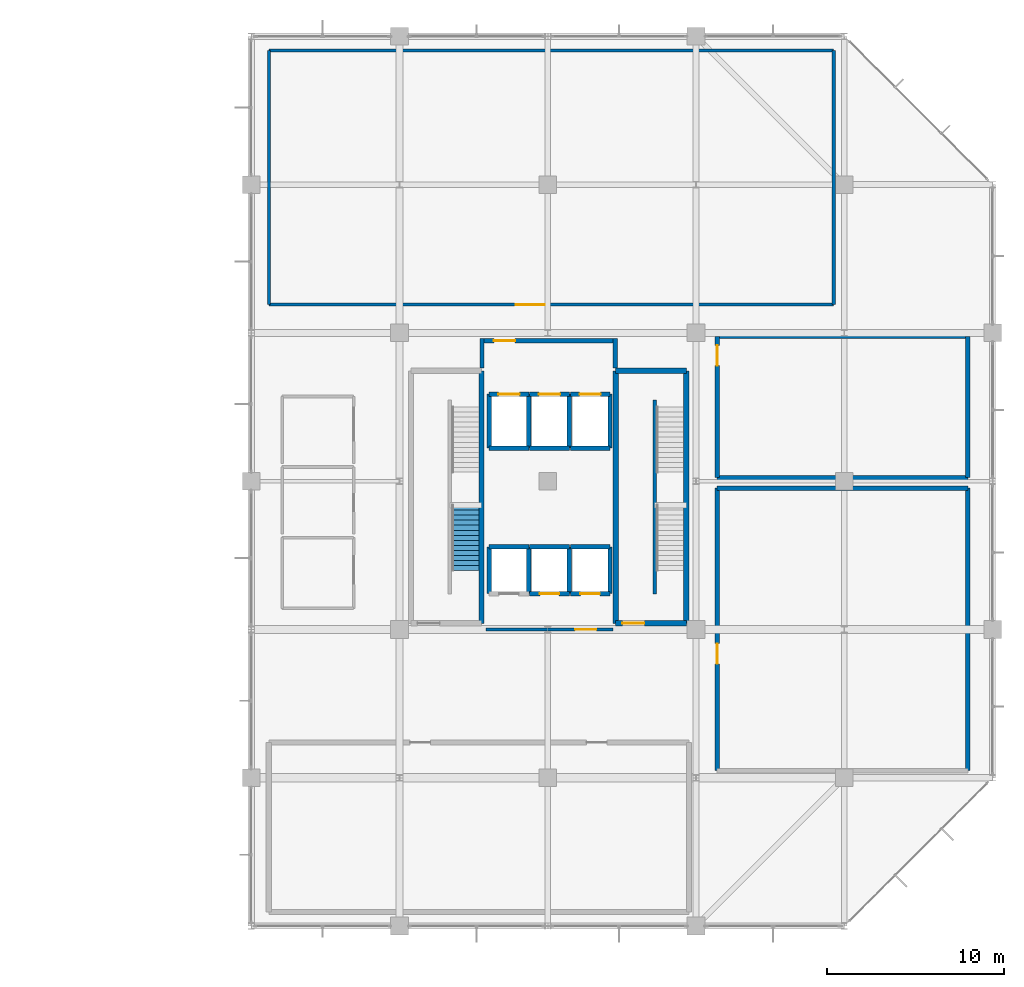
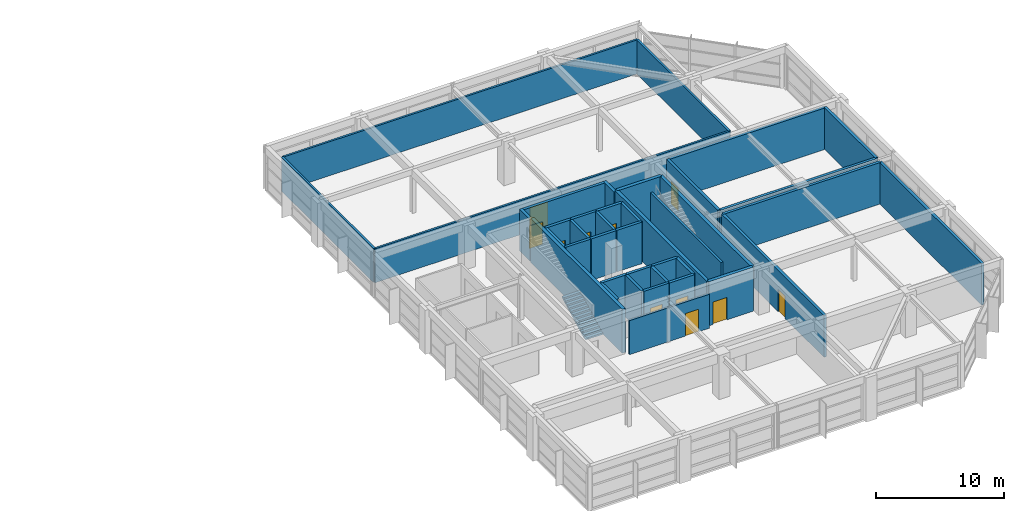
# One storey, part 29 of 32: 40 walls, 11 doors, 1 stair flight, 11 openings, 1 element without a shape of its own.
"""IFC4 building model written with IfcOpenShell, lengths in metres."""

from ifc_helpers import new_model, si_unit, direction, frame, frame_2d, origin, place, context, subcontext, project, spatial, polyline, rectangle, outline, extrude, material, layer, layer_set, type_object, element, fill, aggregate, save


model = new_model("IFC4")

# Units and contexts
model_context = context("Model", 3, precision=1e-05, world=origin(), true_north=direction((0.0, 1.0)))
body_context = subcontext(model_context, "Body", "Model", "MODEL_VIEW")
ifc_project = project(units=[si_unit("LENGTHUNIT", "METRE"), si_unit("AREAUNIT", "SQUARE_METRE"), si_unit("VOLUMEUNIT", "CUBIC_METRE"), si_unit("PLANEANGLEUNIT", "RADIAN"), si_unit("MASSUNIT", "GRAM", prefix="KILO")], contexts=[model_context])

# Site, building, storey
site_placement = place(None, origin())
site = spatial("IfcSite", under=ifc_project, at=site_placement, CompositionType="ELEMENT")
building_placement = place(site_placement, origin())
building = spatial("IfcBuilding", under=site, at=building_placement, Name="Xuanlan Plaza Opera House", CompositionType="ELEMENT")
storey_placement = place(building_placement, frame((0.0, 0.0, 40.5)))
storey = spatial("IfcBuildingStorey", under=building, at=storey_placement, Name="L09", CompositionType="ELEMENT", Elevation=40.5)

# Wall, opening, door
ifc_material_1 = material(Name="Gypsum Board and Galvanised Steel Studs", Category="gypsum")
ifc_layer_1 = layer(ifc_material_1, 0.179931640625)
ifc_layer_set_1 = layer_set([ifc_layer_1], Name="Gypsum Board and Galvanised Steel Studs")
wall_type_1 = type_object("IfcWallType", Name="INT-WL-PW-02", PredefinedType="PARTITIONING", material=ifc_layer_set_1)
wall_1_placement = place(storey_placement, frame((139.300048828125, 50.39990234375, 0.0), z_axis=(0.0, 0.0, 1.0), x_axis=(1.0, 0.0, 0.0)))
wall_1 = element("IfcWall", 1, at=wall_1_placement, inside=storey, type_object=wall_type_1, Name="Tower Lift Lobby Wall South", PredefinedType="PARTITIONING", context=body_context, shape_type="SweptSolid", body=[
    extrude(rectangle(XDim=7.199951171875, YDim=0.179931640625, at=frame_2d((3.60009765625, 0.0))), origin(), (0.0, 0.0, 1.0), 3.239990234375),
])
opening_1_placement = place(wall_1_placement, frame((5.050048828125, 0.0, 0.0)))
opening_1 = element("IfcOpeningElement", 2, at=opening_1_placement, cuts=wall_1, Name="Opening FD-02", PredefinedType="OPENING", context=body_context, shape_type="SweptSolid", body=[
    extrude(rectangle(XDim=1.199951171875, YDim=2.14990234375, at=frame_2d((0.60009765625, 1.074951171875))), frame((0.0, 0.099853515625, 0.0), z_axis=(0.0, -1.0, 0.0), x_axis=(1.0, 0.0, 0.0)), (0.0, 0.0, 1.0), 0.199951171875),
])
ifc_material_2 = material(Name="Galvanised Steel Q235B", Category="steel")
door_type_1 = type_object("IfcDoorType", Name="INT-DR-FD-02", OperationType="NOTDEFINED", PredefinedType="DOOR", material=ifc_material_2)
door_1_placement = place(opening_1_placement, frame((1.199951171875, 0.0, 0.0), z_axis=(0.0, 0.0, 1.0), x_axis=(-1.0, 0.0, 0.0)))
door_1 = element("IfcDoor", 3, at=door_1_placement, inside=storey, type_object=door_type_1, Name="Tower Lift Lobby Door 1", OperationType="SINGLE_SWING_RIGHT", OverallHeight=2.14990234375, OverallWidth=1.199951171875, PredefinedType="DOOR", context=body_context, shape_type="SweptSolid", body=[
    extrude(rectangle(XDim=1.199951171875, YDim=2.14990234375, at=frame_2d((0.60009765625, 1.074951171875))), frame((0.0, 0.02490234375, 0.0), z_axis=(0.0, -1.0, 0.0), x_axis=(1.0, 0.0, 0.0)), (0.0, 0.0, 1.0), 0.050048828125),
])
fill(opening_1, door_1)

wall_2_placement = place(storey_placement, frame((127.0, 68.800048828125, 0.0), z_axis=(0.0, 0.0, 1.0), x_axis=(1.0, 0.0, 0.0)))
wall_2 = element("IfcWall", 4, at=wall_2_placement, inside=storey, type_object=wall_type_1, Name="Mid-Tower Sky Foyer Wall South", PredefinedType="PARTITIONING", context=body_context, shape_type="SweptSolid", body=[
    extrude(rectangle(XDim=32.0, YDim=0.179931640625, at=frame_2d((16.0, 0.0))), origin(), (0.0, 0.0, 1.0), 3.239990234375),
])
opening_2_placement = place(wall_2_placement, frame((14.0, 0.0, 0.0)))
opening_2 = element("IfcOpeningElement", 5, at=opening_2_placement, cuts=wall_2, Name="Opening D-08", PredefinedType="OPENING", context=body_context, shape_type="SweptSolid", body=[
    extrude(rectangle(XDim=1.6201171875, YDim=2.219970703125, at=frame_2d((0.81005859375, 1.10986328125))), frame((0.0, 0.099853515625, 0.0), z_axis=(0.0, -1.0, 0.0), x_axis=(1.0, 0.0, 0.0)), (0.0, 0.0, 1.0), 0.199951171875),
])
ifc_material_3 = material(Name="Walnut Hardwood Timber", Category="wood")
door_type_2 = type_object("IfcDoorType", Name="INT-DR-D-08", OperationType="DOUBLE_DOOR_SINGLE_SWING", PredefinedType="DOOR", material=ifc_material_3)
door_2_placement = place(opening_2_placement, origin())
door_2 = element("IfcDoor", 6, at=door_2_placement, inside=storey, type_object=door_type_2, Name="Mid-Tower Sky Foyer Door 1", OperationType="DOUBLE_DOOR_SINGLE_SWING", OverallHeight=2.219970703125, OverallWidth=1.6201171875, PredefinedType="DOOR", context=body_context, shape_type="SweptSolid", body=[
    extrude(rectangle(XDim=1.6201171875, YDim=2.219970703125, at=frame_2d((0.81005859375, 1.10986328125))), frame((0.0, 0.02490234375, 0.0), z_axis=(0.0, -1.0, 0.0), x_axis=(1.0, 0.0, 0.0)), (0.0, 0.0, 1.0), 0.050048828125),
])
fill(opening_2, door_2)

# Walls
wall_3_placement = place(storey_placement, frame((127.0, 83.199951171875, 0.0), z_axis=(0.0, 0.0, 1.0), x_axis=(1.0, 0.0, 0.0)))
element("IfcWall", 7, at=wall_3_placement, inside=storey, type_object=wall_type_1, Name="Mid-Tower Sky Foyer Wall North", PredefinedType="PARTITIONING", context=body_context, shape_type="SweptSolid", body=[
    extrude(rectangle(XDim=32.0, YDim=0.179931640625, at=frame_2d((16.0, 0.0))), origin(), (0.0, 0.0, 1.0), 3.239990234375),
])
for number, where, z_axis, x_axis, name in (
    (8, (127.0, 68.800048828125, 0.0), (0.0, 0.0, 1.0), (0.0, 1.0, 0.0), "Mid-Tower Sky Foyer Wall West"),
    (9, (159.0, 68.800048828125, 0.0), (0.0, 0.0, 1.0), (0.0, 1.0, 0.0), "Mid-Tower Sky Foyer Wall East"),
):
    element("IfcWall", number, at=place(storey_placement, frame(where, z_axis=z_axis, x_axis=x_axis)), inside=storey, type_object=wall_type_1, Name=name, PredefinedType="PARTITIONING", context=body_context, shape_type="SweptSolid", body=[
        extrude(rectangle(XDim=14.39990234375, YDim=0.179931640625, at=frame_2d((7.199951171875, 0.0))), origin(), (0.0, 0.0, 1.0), 3.239990234375),
    ])
ifc_material_4 = material(Name="Concrete C40", Category="concrete")
ifc_layer_2 = layer(ifc_material_4, 0.25)
ifc_layer_set_2 = layer_set([ifc_layer_2], Name="Concrete C40")
wall_type_2 = type_object("IfcWallType", Name="INT-WL-SW-LF1", PredefinedType="SHEAR", material=ifc_layer_set_2)
wall_4_placement = place(storey_placement, frame((139.47509765625, 60.675048828125, 0.0), z_axis=(0.0, 0.0, 1.0), x_axis=(1.0, 0.0, 0.0)))
element("IfcWall", 10, at=wall_4_placement, inside=storey, type_object=wall_type_2, Name="Lift Shaft Wall LF-FF1 L09 South", PredefinedType="SHEAR", context=body_context, shape_type="SweptSolid", body=[
    extrude(rectangle(XDim=2.25, YDim=0.25, at=frame_2d((1.125, 0.0))), origin(), (0.0, 0.0, 1.0), 3.9599609375),
])

# Wall, opening, door
wall_5_placement = place(storey_placement, frame((139.47509765625, 63.72509765625, 0.0), z_axis=(0.0, 0.0, 1.0), x_axis=(1.0, 0.0, 0.0)))
wall_5 = element("IfcWall", 11, at=wall_5_placement, inside=storey, type_object=wall_type_2, Name="Lift Shaft Wall LF-FF1 L09 North", PredefinedType="SHEAR", context=body_context, shape_type="SweptSolid", body=[
    extrude(rectangle(XDim=2.25, YDim=0.25, at=frame_2d((1.125, 0.0))), origin(), (0.0, 0.0, 1.0), 3.9599609375),
])
opening_3_placement = place(wall_5_placement, frame((0.52490234375, 0.0, 0.0)))
opening_3 = element("IfcOpeningElement", 12, at=opening_3_placement, cuts=wall_5, Name="Opening LD-FF1-L09", PredefinedType="OPENING", context=body_context, shape_type="SweptSolid", body=[
    extrude(rectangle(XDim=1.199951171875, YDim=2.179931640625, at=frame_2d((0.60009765625, 1.08984375))), frame((0.0, 0.135009765625, 0.0), z_axis=(0.0, -1.0, 0.0), x_axis=(1.0, 0.0, 0.0)), (0.0, 0.0, 1.0), 0.27001953125),
])
ifc_material_5 = material(Name="Stainless Steel S30408", Category="steel")
door_type_3 = type_object("IfcDoorType", Name="INT-DR-LD-02", OperationType="DOUBLE_DOOR_SLIDING", PredefinedType="DOOR", material=ifc_material_5)
door_3_placement = place(opening_3_placement, origin())
door_3 = element("IfcDoor", 13, at=door_3_placement, inside=storey, type_object=door_type_3, Name="Lift Sliding Landing Door LF-FF1 L09", OperationType="DOUBLE_DOOR_SLIDING", OverallHeight=2.179931640625, OverallWidth=1.199951171875, PredefinedType="DOOR", context=body_context, shape_type="SweptSolid", body=[
    extrude(rectangle(XDim=1.199951171875, YDim=2.179931640625, at=frame_2d((0.60009765625, 1.08984375))), frame((0.0, 0.02490234375, 0.0), z_axis=(0.0, -1.0, 0.0), x_axis=(1.0, 0.0, 0.0)), (0.0, 0.0, 1.0), 0.050048828125),
])
fill(opening_3, door_3)

# Walls
for number, where, z_axis, x_axis, name in (
    (14, (139.47509765625, 60.675048828125, 0.0), (0.0, 0.0, 1.0), (0.0, 1.0, 0.0), "Lift Shaft Wall LF-FF1 L09 West"),
    (15, (141.72509765625, 60.675048828125, 0.0), (0.0, 0.0, 1.0), (0.0, 1.0, 0.0), "Lift Shaft Wall LF-FF1 L09 East"),
):
    element("IfcWall", number, at=place(storey_placement, frame(where, z_axis=z_axis, x_axis=x_axis)), inside=storey, type_object=wall_type_2, Name=name, PredefinedType="SHEAR", context=body_context, shape_type="SweptSolid", body=[
        extrude(rectangle(XDim=3.050048828125, YDim=0.25, at=frame_2d((1.52490234375, 0.0))), origin(), (0.0, 0.0, 1.0), 3.9599609375),
    ])
wall_6_placement = place(storey_placement, frame((141.77490234375, 60.675048828125, 0.0), z_axis=(0.0, 0.0, 1.0), x_axis=(1.0, 0.0, 0.0)))
element("IfcWall", 16, at=wall_6_placement, inside=storey, type_object=wall_type_2, Name="Lift Shaft Wall LF-FF2 L09 South", PredefinedType="SHEAR", context=body_context, shape_type="SweptSolid", body=[
    extrude(rectangle(XDim=2.25, YDim=0.25, at=frame_2d((1.125, 0.0))), origin(), (0.0, 0.0, 1.0), 3.9599609375),
])

# Wall, opening, door
wall_7_placement = place(storey_placement, frame((141.77490234375, 63.72509765625, 0.0), z_axis=(0.0, 0.0, 1.0), x_axis=(1.0, 0.0, 0.0)))
wall_7 = element("IfcWall", 17, at=wall_7_placement, inside=storey, type_object=wall_type_2, Name="Lift Shaft Wall LF-FF2 L09 North", PredefinedType="SHEAR", context=body_context, shape_type="SweptSolid", body=[
    extrude(rectangle(XDim=2.25, YDim=0.25, at=frame_2d((1.125, 0.0))), origin(), (0.0, 0.0, 1.0), 3.9599609375),
])
opening_4_placement = place(wall_7_placement, frame((0.52490234375, 0.0, 0.0)))
opening_4 = element("IfcOpeningElement", 18, at=opening_4_placement, cuts=wall_7, Name="Opening LD-FF2-L09", PredefinedType="OPENING", context=body_context, shape_type="SweptSolid", body=[
    extrude(rectangle(XDim=1.199951171875, YDim=2.179931640625, at=frame_2d((0.60009765625, 1.08984375))), frame((0.0, 0.135009765625, 0.0), z_axis=(0.0, -1.0, 0.0), x_axis=(1.0, 0.0, 0.0)), (0.0, 0.0, 1.0), 0.27001953125),
])
door_4_placement = place(opening_4_placement, origin())
door_4 = element("IfcDoor", 19, at=door_4_placement, inside=storey, type_object=door_type_3, Name="Lift Sliding Landing Door LF-FF2 L09", OperationType="DOUBLE_DOOR_SLIDING", OverallHeight=2.179931640625, OverallWidth=1.199951171875, PredefinedType="DOOR", context=body_context, shape_type="SweptSolid", body=[
    extrude(rectangle(XDim=1.199951171875, YDim=2.179931640625, at=frame_2d((0.60009765625, 1.08984375))), frame((0.0, 0.02490234375, 0.0), z_axis=(0.0, -1.0, 0.0), x_axis=(1.0, 0.0, 0.0)), (0.0, 0.0, 1.0), 0.050048828125),
])
fill(opening_4, door_4)

# Walls
wall_8_placement = place(storey_placement, frame((144.02490234375, 60.675048828125, 0.0), z_axis=(0.0, 0.0, 1.0), x_axis=(0.0, 1.0, 0.0)))
element("IfcWall", 20, at=wall_8_placement, inside=storey, type_object=wall_type_2, Name="Lift Shaft Wall LF-FF2 L09 East", PredefinedType="SHEAR", context=body_context, shape_type="SweptSolid", body=[
    extrude(rectangle(XDim=3.050048828125, YDim=0.25, at=frame_2d((1.52490234375, 0.0))), origin(), (0.0, 0.0, 1.0), 3.9599609375),
])
wall_9_placement = place(storey_placement, frame((144.074951171875, 60.675048828125, 0.0), z_axis=(0.0, 0.0, 1.0), x_axis=(1.0, 0.0, 0.0)))
element("IfcWall", 21, at=wall_9_placement, inside=storey, type_object=wall_type_2, Name="Lift Shaft Wall LF-FF3 L09 South", PredefinedType="SHEAR", context=body_context, shape_type="SweptSolid", body=[
    extrude(rectangle(XDim=2.25, YDim=0.25, at=frame_2d((1.125, 0.0))), origin(), (0.0, 0.0, 1.0), 3.9599609375),
])

# Wall, opening, door
wall_10_placement = place(storey_placement, frame((144.074951171875, 63.72509765625, 0.0), z_axis=(0.0, 0.0, 1.0), x_axis=(1.0, 0.0, 0.0)))
wall_10 = element("IfcWall", 22, at=wall_10_placement, inside=storey, type_object=wall_type_2, Name="Lift Shaft Wall LF-FF3 L09 North", PredefinedType="SHEAR", context=body_context, shape_type="SweptSolid", body=[
    extrude(rectangle(XDim=2.25, YDim=0.25, at=frame_2d((1.125, 0.0))), origin(), (0.0, 0.0, 1.0), 3.9599609375),
])
opening_5_placement = place(wall_10_placement, frame((0.52490234375, 0.0, 0.0)))
opening_5 = element("IfcOpeningElement", 23, at=opening_5_placement, cuts=wall_10, Name="Opening LD-FF3-L09", PredefinedType="OPENING", context=body_context, shape_type="SweptSolid", body=[
    extrude(rectangle(XDim=1.199951171875, YDim=2.179931640625, at=frame_2d((0.60009765625, 1.08984375))), frame((0.0, 0.135009765625, 0.0), z_axis=(0.0, -1.0, 0.0), x_axis=(1.0, 0.0, 0.0)), (0.0, 0.0, 1.0), 0.27001953125),
])
door_5_placement = place(opening_5_placement, origin())
door_5 = element("IfcDoor", 24, at=door_5_placement, inside=storey, type_object=door_type_3, Name="Lift Sliding Landing Door LF-FF3 L09", OperationType="DOUBLE_DOOR_SLIDING", OverallHeight=2.179931640625, OverallWidth=1.199951171875, PredefinedType="DOOR", context=body_context, shape_type="SweptSolid", body=[
    extrude(rectangle(XDim=1.199951171875, YDim=2.179931640625, at=frame_2d((0.60009765625, 1.08984375))), frame((0.0, 0.02490234375, 0.0), z_axis=(0.0, -1.0, 0.0), x_axis=(1.0, 0.0, 0.0)), (0.0, 0.0, 1.0), 0.050048828125),
])
fill(opening_5, door_5)

# Walls
wall_11_placement = place(storey_placement, frame((146.324951171875, 60.675048828125, 0.0), z_axis=(0.0, 0.0, 1.0), x_axis=(0.0, 1.0, 0.0)))
element("IfcWall", 25, at=wall_11_placement, inside=storey, type_object=wall_type_2, Name="Lift Shaft Wall LF-FF3 L09 East", PredefinedType="SHEAR", context=body_context, shape_type="SweptSolid", body=[
    extrude(rectangle(XDim=3.050048828125, YDim=0.25, at=frame_2d((1.52490234375, 0.0))), origin(), (0.0, 0.0, 1.0), 3.9599609375),
])
wall_12_placement = place(storey_placement, frame((139.47509765625, 55.074951171875, 0.0), z_axis=(0.0, 0.0, 1.0), x_axis=(1.0, 0.0, 0.0)))
element("IfcWall", 26, at=wall_12_placement, inside=storey, type_object=wall_type_2, Name="Lift Shaft Wall LF-P1 L09 North", PredefinedType="SHEAR", context=body_context, shape_type="SweptSolid", body=[
    extrude(rectangle(XDim=2.25, YDim=0.25, at=frame_2d((1.125, 0.0))), origin(), (0.0, 0.0, 1.0), 3.9599609375),
])
for number, where, z_axis, x_axis, name in (
    (27, (139.47509765625, 52.425048828125, 0.0), (0.0, 0.0, 1.0), (0.0, 1.0, 0.0), "Lift Shaft Wall LF-P1 L09 West"),
    (28, (141.72509765625, 52.425048828125, 0.0), (0.0, 0.0, 1.0), (0.0, 1.0, 0.0), "Lift Shaft Wall LF-P1 L09 East"),
):
    element("IfcWall", number, at=place(storey_placement, frame(where, z_axis=z_axis, x_axis=x_axis)), inside=storey, type_object=wall_type_2, Name=name, PredefinedType="SHEAR", context=body_context, shape_type="SweptSolid", body=[
        extrude(rectangle(XDim=2.64990234375, YDim=0.25, at=frame_2d((1.324951171875, 0.0))), origin(), (0.0, 0.0, 1.0), 3.9599609375),
    ])

# Wall, opening, door
wall_13_placement = place(storey_placement, frame((141.77490234375, 52.425048828125, 0.0), z_axis=(0.0, 0.0, 1.0), x_axis=(1.0, 0.0, 0.0)))
wall_13 = element("IfcWall", 29, at=wall_13_placement, inside=storey, type_object=wall_type_2, Name="Lift Shaft Wall LF-P2 L09 South", PredefinedType="SHEAR", context=body_context, shape_type="SweptSolid", body=[
    extrude(rectangle(XDim=2.25, YDim=0.25, at=frame_2d((1.125, 0.0))), origin(), (0.0, 0.0, 1.0), 3.9599609375),
])
opening_6_placement = place(wall_13_placement, frame((0.574951171875, 0.0, 0.0)))
opening_6 = element("IfcOpeningElement", 30, at=opening_6_placement, cuts=wall_13, Name="Opening LD-P2-L09", PredefinedType="OPENING", context=body_context, shape_type="SweptSolid", body=[
    extrude(rectangle(XDim=1.10009765625, YDim=2.14990234375, at=frame_2d((0.550048828125, 1.074951171875))), frame((0.0, 0.135009765625, 0.0), z_axis=(0.0, -1.0, 0.0), x_axis=(1.0, 0.0, 0.0)), (0.0, 0.0, 1.0), 0.27001953125),
])
door_type_4 = type_object("IfcDoorType", Name="INT-DR-LD-01", OperationType="DOUBLE_DOOR_SLIDING", PredefinedType="DOOR", material=ifc_material_5)
door_6_placement = place(opening_6_placement, origin())
door_6 = element("IfcDoor", 31, at=door_6_placement, inside=storey, type_object=door_type_4, Name="Lift Sliding Landing Door LF-P2 L09", OperationType="DOUBLE_DOOR_SLIDING", OverallHeight=2.14990234375, OverallWidth=1.10009765625, PredefinedType="DOOR", context=body_context, shape_type="SweptSolid", body=[
    extrude(rectangle(XDim=1.10009765625, YDim=2.14990234375, at=frame_2d((0.550048828125, 1.074951171875))), frame((0.0, 0.02490234375, 0.0), z_axis=(0.0, -1.0, 0.0), x_axis=(1.0, 0.0, 0.0)), (0.0, 0.0, 1.0), 0.050048828125),
])
fill(opening_6, door_6)

# Walls
wall_14_placement = place(storey_placement, frame((141.77490234375, 55.074951171875, 0.0), z_axis=(0.0, 0.0, 1.0), x_axis=(1.0, 0.0, 0.0)))
element("IfcWall", 32, at=wall_14_placement, inside=storey, type_object=wall_type_2, Name="Lift Shaft Wall LF-P2 L09 North", PredefinedType="SHEAR", context=body_context, shape_type="SweptSolid", body=[
    extrude(rectangle(XDim=2.25, YDim=0.25, at=frame_2d((1.125, 0.0))), origin(), (0.0, 0.0, 1.0), 3.9599609375),
])
wall_15_placement = place(storey_placement, frame((144.02490234375, 52.425048828125, 0.0), z_axis=(0.0, 0.0, 1.0), x_axis=(0.0, 1.0, 0.0)))
element("IfcWall", 33, at=wall_15_placement, inside=storey, type_object=wall_type_2, Name="Lift Shaft Wall LF-P2 L09 East", PredefinedType="SHEAR", context=body_context, shape_type="SweptSolid", body=[
    extrude(rectangle(XDim=2.64990234375, YDim=0.25, at=frame_2d((1.324951171875, 0.0))), origin(), (0.0, 0.0, 1.0), 3.9599609375),
])

# Wall, opening, door
wall_16_placement = place(storey_placement, frame((144.074951171875, 52.425048828125, 0.0), z_axis=(0.0, 0.0, 1.0), x_axis=(1.0, 0.0, 0.0)))
wall_16 = element("IfcWall", 34, at=wall_16_placement, inside=storey, type_object=wall_type_2, Name="Lift Shaft Wall LF-P3 L09 South", PredefinedType="SHEAR", context=body_context, shape_type="SweptSolid", body=[
    extrude(rectangle(XDim=2.25, YDim=0.25, at=frame_2d((1.125, 0.0))), origin(), (0.0, 0.0, 1.0), 3.9599609375),
])
opening_7_placement = place(wall_16_placement, frame((0.574951171875, 0.0, 0.0)))
opening_7 = element("IfcOpeningElement", 35, at=opening_7_placement, cuts=wall_16, Name="Opening LD-P3-L09", PredefinedType="OPENING", context=body_context, shape_type="SweptSolid", body=[
    extrude(rectangle(XDim=1.10009765625, YDim=2.14990234375, at=frame_2d((0.550048828125, 1.074951171875))), frame((0.0, 0.135009765625, 0.0), z_axis=(0.0, -1.0, 0.0), x_axis=(1.0, 0.0, 0.0)), (0.0, 0.0, 1.0), 0.27001953125),
])
door_7_placement = place(opening_7_placement, origin())
door_7 = element("IfcDoor", 36, at=door_7_placement, inside=storey, type_object=door_type_4, Name="Lift Sliding Landing Door LF-P3 L09", OperationType="DOUBLE_DOOR_SLIDING", OverallHeight=2.14990234375, OverallWidth=1.10009765625, PredefinedType="DOOR", context=body_context, shape_type="SweptSolid", body=[
    extrude(rectangle(XDim=1.10009765625, YDim=2.14990234375, at=frame_2d((0.550048828125, 1.074951171875))), frame((0.0, 0.02490234375, 0.0), z_axis=(0.0, -1.0, 0.0), x_axis=(1.0, 0.0, 0.0)), (0.0, 0.0, 1.0), 0.050048828125),
])
fill(opening_7, door_7)

# Walls
wall_17_placement = place(storey_placement, frame((144.074951171875, 55.074951171875, 0.0), z_axis=(0.0, 0.0, 1.0), x_axis=(1.0, 0.0, 0.0)))
element("IfcWall", 37, at=wall_17_placement, inside=storey, type_object=wall_type_2, Name="Lift Shaft Wall LF-P3 L09 North", PredefinedType="SHEAR", context=body_context, shape_type="SweptSolid", body=[
    extrude(rectangle(XDim=2.25, YDim=0.25, at=frame_2d((1.125, 0.0))), origin(), (0.0, 0.0, 1.0), 3.9599609375),
])
wall_18_placement = place(storey_placement, frame((146.324951171875, 52.425048828125, 0.0), z_axis=(0.0, 0.0, 1.0), x_axis=(0.0, 1.0, 0.0)))
element("IfcWall", 38, at=wall_18_placement, inside=storey, type_object=wall_type_2, Name="Lift Shaft Wall LF-P3 L09 East", PredefinedType="SHEAR", context=body_context, shape_type="SweptSolid", body=[
    extrude(rectangle(XDim=2.64990234375, YDim=0.25, at=frame_2d((1.324951171875, 0.0))), origin(), (0.0, 0.0, 1.0), 3.9599609375),
])
for number, where, z_axis, x_axis, name in (
    (39, (139.074951171875, 65.199951171875, 0.0), (0.0, 0.0, 1.0), (0.0, 1.0, 0.0), "Firefighting Lift Lobby Enclosure Wall L09 W"),
    (40, (146.625, 65.199951171875, 0.0), (0.0, 0.0, 1.0), (0.0, 1.0, 0.0), "Firefighting Lift Lobby Enclosure Wall L09 E"),
):
    element("IfcWall", number, at=place(storey_placement, frame(where, z_axis=z_axis, x_axis=x_axis)), inside=storey, type_object=wall_type_2, Name=name, PredefinedType="SHEAR", context=body_context, shape_type="SweptSolid", body=[
        extrude(rectangle(XDim=1.675048828125, YDim=0.25, at=frame_2d((0.83740234375, 0.0))), origin(), (0.0, 0.0, 1.0), 3.9599609375),
    ])

# Wall, opening, door
wall_19_placement = place(storey_placement, frame((139.199951171875, 66.75, 0.0), z_axis=(0.0, 0.0, 1.0), x_axis=(1.0, 0.0, 0.0)))
wall_19 = element("IfcWall", 41, at=wall_19_placement, inside=storey, type_object=wall_type_2, Name="Firefighting Lift Lobby Wall North", PredefinedType="SHEAR", context=body_context, shape_type="SweptSolid", body=[
    extrude(rectangle(XDim=7.300048828125, YDim=0.25, at=frame_2d((3.64990234375, 0.0))), origin(), (0.0, 0.0, 1.0), 3.9599609375),
])
opening_8_placement = place(wall_19_placement, frame((0.550048828125, 0.0, 0.0)))
opening_8 = element("IfcOpeningElement", 42, at=opening_8_placement, cuts=wall_19, Name="Opening FD-02", PredefinedType="OPENING", context=body_context, shape_type="SweptSolid", body=[
    extrude(rectangle(XDim=1.199951171875, YDim=2.14990234375, at=frame_2d((0.60009765625, 1.074951171875))), frame((0.0, 0.135009765625, 0.0), z_axis=(0.0, -1.0, 0.0), x_axis=(1.0, 0.0, 0.0)), (0.0, 0.0, 1.0), 0.27001953125),
])
door_8_placement = place(opening_8_placement, origin())
door_8 = element("IfcDoor", 43, at=door_8_placement, inside=storey, type_object=door_type_1, Name="Firefighting Lift Lobby Door 1", OperationType="SINGLE_SWING_RIGHT", OverallHeight=2.14990234375, OverallWidth=1.199951171875, PredefinedType="DOOR", context=body_context, shape_type="SweptSolid", body=[
    extrude(rectangle(XDim=1.199951171875, YDim=2.14990234375, at=frame_2d((0.60009765625, 1.074951171875))), frame((0.0, 0.02490234375, 0.0), z_axis=(0.0, -1.0, 0.0), x_axis=(1.0, 0.0, 0.0)), (0.0, 0.0, 1.0), 0.050048828125),
])
fill(opening_8, door_8)

# Wall
wall_20_placement = place(storey_placement, frame((152.39990234375, 58.39990234375, 0.0), z_axis=(0.0, 0.0, 1.0), x_axis=(1.0, 0.0, 0.0)))
element("IfcWall", 44, at=wall_20_placement, inside=storey, type_object=wall_type_2, Name="Tower Acoustic Air Handling Plant Room Wall North", PredefinedType="SHEAR", context=body_context, shape_type="SweptSolid", body=[
    extrude(rectangle(XDim=14.2001953125, YDim=0.25, at=frame_2d((7.10009765625, 0.0))), origin(), (0.0, 0.0, 1.0), 3.9599609375),
])

# Wall, opening, door
wall_21_placement = place(storey_placement, frame((152.39990234375, 42.39990234375, 0.0), z_axis=(0.0, 0.0, 1.0), x_axis=(0.0, 1.0, 0.0)))
wall_21 = element("IfcWall", 45, at=wall_21_placement, inside=storey, type_object=wall_type_2, Name="Tower Acoustic Air Handling Plant Room Wall West", PredefinedType="SHEAR", context=body_context, shape_type="SweptSolid", body=[
    extrude(rectangle(XDim=16.0, YDim=0.25, at=frame_2d((8.0, 0.0))), origin(), (0.0, 0.0, 1.0), 3.9599609375),
])
opening_9_placement = place(wall_21_placement, frame((6.050048828125, 0.0, 0.0)))
opening_9 = element("IfcOpeningElement", 46, at=opening_9_placement, cuts=wall_21, Name="Opening FD-01", PredefinedType="OPENING", context=body_context, shape_type="SweptSolid", body=[
    extrude(rectangle(XDim=1.14990234375, YDim=2.14990234375, at=frame_2d((0.574951171875, 1.074951171875))), frame((0.0, 0.135009765625, 0.0), z_axis=(0.0, -1.0, 0.0), x_axis=(1.0, 0.0, 0.0)), (0.0, 0.0, 1.0), 0.27001953125),
])
door_type_5 = type_object("IfcDoorType", Name="INT-DR-FD-01", OperationType="NOTDEFINED", PredefinedType="DOOR", material=ifc_material_2)
door_9_placement = place(opening_9_placement, origin())
door_9 = element("IfcDoor", 47, at=door_9_placement, inside=storey, type_object=door_type_5, Name="Tower Acoustic Air Handling Plant Room Door 1", OperationType="SINGLE_SWING_LEFT", OverallHeight=2.14990234375, OverallWidth=1.14990234375, PredefinedType="DOOR", context=body_context, shape_type="SweptSolid", body=[
    extrude(rectangle(XDim=1.14990234375, YDim=2.14990234375, at=frame_2d((0.574951171875, 1.074951171875))), frame((0.0, 0.02490234375, 0.0), z_axis=(0.0, -1.0, 0.0), x_axis=(1.0, 0.0, 0.0)), (0.0, 0.0, 1.0), 0.050048828125),
])
fill(opening_9, door_9)

# Walls
wall_22_placement = place(storey_placement, frame((166.60009765625, 42.39990234375, 0.0), z_axis=(0.0, 0.0, 1.0), x_axis=(0.0, 1.0, 0.0)))
element("IfcWall", 48, at=wall_22_placement, inside=storey, type_object=wall_type_2, Name="Tower Acoustic Air Handling Plant Room Wall East", PredefinedType="SHEAR", context=body_context, shape_type="SweptSolid", body=[
    extrude(rectangle(XDim=16.0, YDim=0.25, at=frame_2d((8.0, 0.0))), origin(), (0.0, 0.0, 1.0), 3.9599609375),
])
for number, where, z_axis, x_axis, name in (
    (49, (152.39990234375, 59.0, 0.0), (0.0, 0.0, 1.0), (1.0, 0.0, 0.0), "Tower Electrical and Control Plant Room Wall South"),
    (50, (152.39990234375, 67.0, 0.0), (0.0, 0.0, 1.0), (1.0, 0.0, 0.0), "Tower Electrical and Control Plant Room Wall North"),
):
    element("IfcWall", number, at=place(storey_placement, frame(where, z_axis=z_axis, x_axis=x_axis)), inside=storey, type_object=wall_type_2, Name=name, PredefinedType="SHEAR", context=body_context, shape_type="SweptSolid", body=[
        extrude(rectangle(XDim=14.2001953125, YDim=0.25, at=frame_2d((7.10009765625, 0.0))), origin(), (0.0, 0.0, 1.0), 3.9599609375),
    ])

# Wall, opening, door
wall_23_placement = place(storey_placement, frame((152.39990234375, 59.0, 0.0), z_axis=(0.0, 0.0, 1.0), x_axis=(0.0, 1.0, 0.0)))
wall_23 = element("IfcWall", 51, at=wall_23_placement, inside=storey, type_object=wall_type_2, Name="Tower Electrical and Control Plant Room Wall West", PredefinedType="SHEAR", context=body_context, shape_type="SweptSolid", body=[
    extrude(rectangle(XDim=8.0, YDim=0.25, at=frame_2d((4.0, 0.0))), origin(), (0.0, 0.0, 1.0), 3.9599609375),
])
opening_10_placement = place(wall_23_placement, frame((6.35009765625, 0.0, 0.0)))
opening_10 = element("IfcOpeningElement", 52, at=opening_10_placement, cuts=wall_23, Name="Opening FD-01", PredefinedType="OPENING", context=body_context, shape_type="SweptSolid", body=[
    extrude(rectangle(XDim=1.14990234375, YDim=2.14990234375, at=frame_2d((0.574951171875, 1.074951171875))), frame((0.0, 0.135009765625, 0.0), z_axis=(0.0, -1.0, 0.0), x_axis=(1.0, 0.0, 0.0)), (0.0, 0.0, 1.0), 0.27001953125),
])
door_10_placement = place(opening_10_placement, origin())
door_10 = element("IfcDoor", 53, at=door_10_placement, inside=storey, type_object=door_type_5, Name="Tower Electrical and Control Plant Room Door 1", OperationType="SINGLE_SWING_RIGHT", OverallHeight=2.14990234375, OverallWidth=1.14990234375, PredefinedType="DOOR", context=body_context, shape_type="SweptSolid", body=[
    extrude(rectangle(XDim=1.14990234375, YDim=2.14990234375, at=frame_2d((0.574951171875, 1.074951171875))), frame((0.0, 0.02490234375, 0.0), z_axis=(0.0, -1.0, 0.0), x_axis=(1.0, 0.0, 0.0)), (0.0, 0.0, 1.0), 0.050048828125),
])
fill(opening_10, door_10)

# Walls
wall_24_placement = place(storey_placement, frame((166.60009765625, 59.0, 0.0), z_axis=(0.0, 0.0, 1.0), x_axis=(0.0, 1.0, 0.0)))
element("IfcWall", 54, at=wall_24_placement, inside=storey, type_object=wall_type_2, Name="Tower Electrical and Control Plant Room Wall East", PredefinedType="SHEAR", context=body_context, shape_type="SweptSolid", body=[
    extrude(rectangle(XDim=8.0, YDim=0.25, at=frame_2d((4.0, 0.0))), origin(), (0.0, 0.0, 1.0), 3.9599609375),
])
ifc_layer_3 = layer(ifc_material_4, 0.199951171875)
ifc_layer_set_3 = layer_set([ifc_layer_3], Name="Concrete C40")
wall_type_3 = type_object("IfcWallType", Name="INT-WL-SW-SPN", PredefinedType="SHEAR", material=ifc_layer_set_3)
wall_25_placement = place(storey_placement, frame((148.85009765625, 52.39990234375, 0.0), z_axis=(0.0, 0.0, 1.0), x_axis=(0.0, 1.0, 0.0)))
element("IfcWall", 55, at=wall_25_placement, inside=storey, type_object=wall_type_3, Name="Stair Structural Spine Wall ST-T2 L09", PredefinedType="SHEAR", context=body_context, shape_type="SweptSolid", body=[
    extrude(rectangle(XDim=11.0, YDim=0.199951171875, at=frame_2d((5.5, 0.0))), origin(), (0.0, 0.0, 1.0), 4.199951171875),
])
ifc_layer_4 = layer(ifc_material_4, 0.300048828125)
ifc_layer_set_4 = layer_set([ifc_layer_4], Name="Concrete C40")
wall_type_4 = type_object("IfcWallType", Name="INT-WL-SW-ST1", PredefinedType="SHEAR", material=ifc_layer_set_4)
wall_26_placement = place(storey_placement, frame((139.050048828125, 50.75, 0.0), z_axis=(0.0, 0.0, 1.0), x_axis=(0.0, 1.0, 0.0)))
element("IfcWall", 56, at=wall_26_placement, inside=storey, type_object=wall_type_4, Name="Stair Core Wall ST-T1 L09 East", PredefinedType="SHEAR", context=body_context, shape_type="SweptSolid", body=[
    extrude(rectangle(XDim=14.300048828125, YDim=0.300048828125, at=frame_2d((7.14990234375, 0.0))), origin(), (0.0, 0.0, 1.0), 4.199951171875),
])

# Wall, opening, door
wall_27_placement = place(storey_placement, frame((146.64990234375, 50.75, 0.0), z_axis=(0.0, 0.0, 1.0), x_axis=(1.0, 0.0, 0.0)))
wall_27 = element("IfcWall", 57, at=wall_27_placement, inside=storey, type_object=wall_type_4, Name="Stair Core Wall ST-T2 L09 South", PredefinedType="SHEAR", context=body_context, shape_type="SweptSolid", body=[
    extrude(rectangle(XDim=4.0, YDim=0.300048828125, at=frame_2d((2.0, 0.0))), origin(), (0.0, 0.0, 1.0), 4.199951171875),
])
opening_11_placement = place(wall_27_placement, frame((0.375, 0.0, 0.0)))
opening_11 = element("IfcOpeningElement", 58, at=opening_11_placement, cuts=wall_27, Name="Opening FD-ST1", PredefinedType="OPENING", context=body_context, shape_type="SweptSolid", body=[
    extrude(rectangle(XDim=1.25, YDim=2.14990234375, at=frame_2d((0.625, 1.074951171875))), frame((0.0, 0.159912109375, 0.0), z_axis=(0.0, -1.0, 0.0), x_axis=(1.0, 0.0, 0.0)), (0.0, 0.0, 1.0), 0.320068359375),
])
door_type_6 = type_object("IfcDoorType", Name="INT-DR-FD-ST1", OperationType="NOTDEFINED", PredefinedType="DOOR", material=ifc_material_2)
door_11_placement = place(opening_11_placement, origin())
door_11 = element("IfcDoor", 59, at=door_11_placement, inside=storey, type_object=door_type_6, Name="Stair Enclosure Fire Door ST-T2 L09", OperationType="SINGLE_SWING_RIGHT", OverallHeight=2.14990234375, OverallWidth=1.25, PredefinedType="DOOR", context=body_context, shape_type="SweptSolid", body=[
    extrude(rectangle(XDim=1.25, YDim=2.14990234375, at=frame_2d((0.625, 1.074951171875))), frame((0.0, 0.02490234375, 0.0), z_axis=(0.0, -1.0, 0.0), x_axis=(1.0, 0.0, 0.0)), (0.0, 0.0, 1.0), 0.050048828125),
])
fill(opening_11, door_11)

# Walls
wall_28_placement = place(storey_placement, frame((146.64990234375, 65.050048828125, 0.0), z_axis=(0.0, 0.0, 1.0), x_axis=(1.0, 0.0, 0.0)))
element("IfcWall", 60, at=wall_28_placement, inside=storey, type_object=wall_type_4, Name="Stair Core Wall ST-T2 L09 North", PredefinedType="SHEAR", context=body_context, shape_type="SweptSolid", body=[
    extrude(rectangle(XDim=4.0, YDim=0.300048828125, at=frame_2d((2.0, 0.0))), origin(), (0.0, 0.0, 1.0), 4.199951171875),
])
for number, where, z_axis, x_axis, name in (
    (61, (146.64990234375, 50.75, 0.0), (0.0, 0.0, 1.0), (0.0, 1.0, 0.0), "Stair Core Wall ST-T2 L09 West"),
    (62, (150.64990234375, 50.75, 0.0), (0.0, 0.0, 1.0), (0.0, 1.0, 0.0), "Stair Core Wall ST-T2 L09 East"),
):
    element("IfcWall", number, at=place(storey_placement, frame(where, z_axis=z_axis, x_axis=x_axis)), inside=storey, type_object=wall_type_4, Name=name, PredefinedType="SHEAR", context=body_context, shape_type="SweptSolid", body=[
        extrude(rectangle(XDim=14.300048828125, YDim=0.300048828125, at=frame_2d((7.14990234375, 0.0))), origin(), (0.0, 0.0, 1.0), 4.199951171875),
    ])

# Stair, stair flight
stair_type = type_object("IfcStairType", Name="INT-ST-STR-T155", PredefinedType="STRAIGHT_RUN_STAIR", material=ifc_material_4)
stair_placement = place(storey_placement, origin())
stair = element("IfcStair", 63, at=stair_placement, inside=storey, type_object=stair_type, Name="Protected Exit Stair ST-T1 L09", PredefinedType="STRAIGHT_RUN_STAIR")
ifc_layer_5 = layer(ifc_material_4, 0.159912109375)
ifc_layer_set_5 = layer_set([ifc_layer_5], Name="Concrete C40")
stair_flight_type = type_object("IfcStairFlightType", Name="INT-FL-FL-155", PredefinedType="STRAIGHT", material=ifc_layer_set_5)
stair_flight_placement = place(storey_placement, frame((138.125, 53.739990234375, 0.0), z_axis=(0.0, 0.0, 1.0), x_axis=(0.0, 1.0, 0.0)))
stair_flight = element("IfcStairFlight", 64, at=stair_flight_placement, type_object=stair_flight_type, Name="ST-T1-L09 flight 1", NumberOfRisers=14, NumberOfTreads=13, PredefinedType="STRAIGHT", RiserHeight=0.15, TreadLength=0.285, context=body_context, shape_type="SweptSolid", body=[
    extrude(outline(polyline([(0.0, 0.0), (0.0, 0.14990234375), (0.284912109375, 0.14990234375), (0.284912109375, 0.300048828125), (0.570068359375, 0.300048828125), (0.570068359375, 0.449951171875), (0.85498046875, 0.449951171875), (0.85498046875, 0.60009765625), (1.139892578125, 0.60009765625), (1.139892578125, 0.75), (1.425048828125, 0.75), (1.425048828125, 0.89990234375), (1.7099609375, 0.89990234375), (1.7099609375, 1.050048828125), (1.9951171875, 1.050048828125), (1.9951171875, 1.199951171875), (2.280029296875, 1.199951171875), (2.280029296875, 1.35009765625), (2.56494140625, 1.35009765625), (2.56494140625, 1.5), (2.85009765625, 1.5), (2.85009765625, 1.64990234375), (3.135009765625, 1.64990234375), (3.135009765625, 1.800048828125), (3.419921875, 1.800048828125), (3.419921875, 1.949951171875), (3.705078125, 1.949951171875), (3.705078125, 2.10009765625), (3.705078125, 1.769287109375), (0.34326171875, 0.0), (0.0, 0.0)])), frame((0.0, 0.77490234375, 0.0), z_axis=(0.0, -1.0, 0.0), x_axis=(1.0, 0.0, 0.0)), (0.0, 0.0, 1.0), 1.550048828125),
])
aggregate(stair, [stair_flight])

save(model, "model.ifc")
